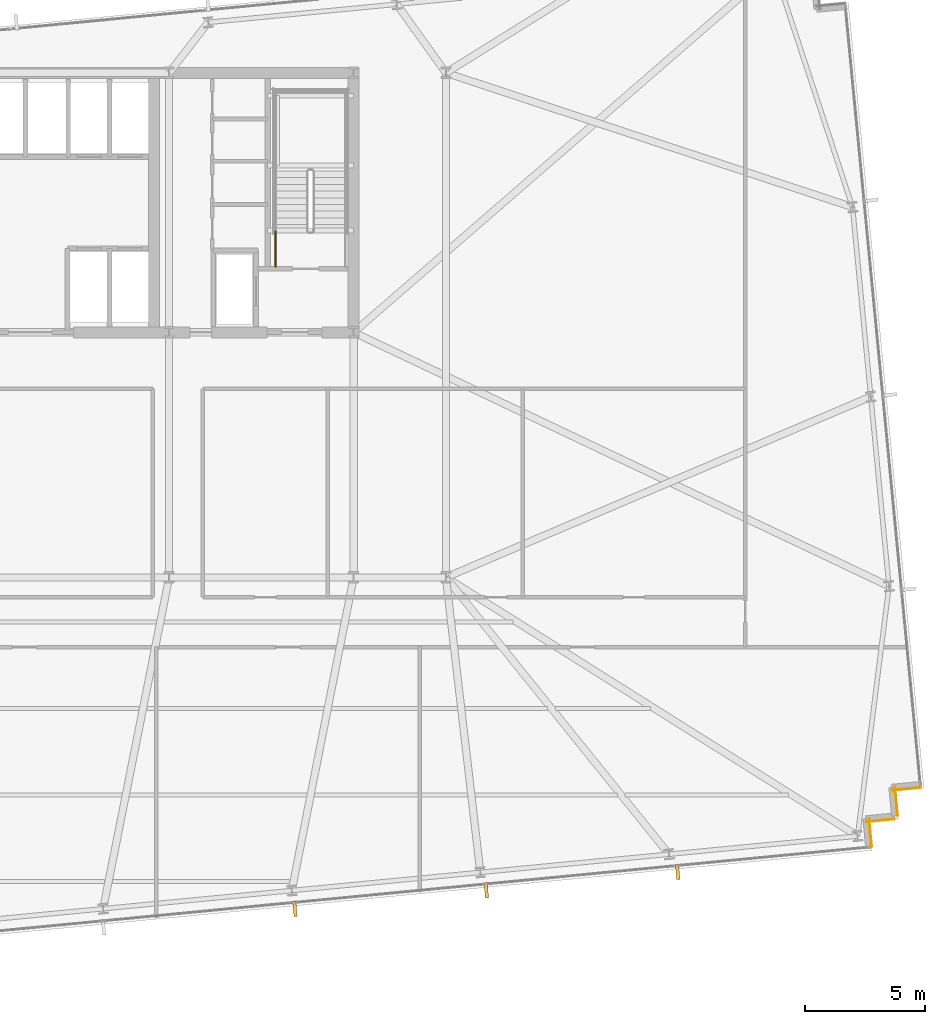
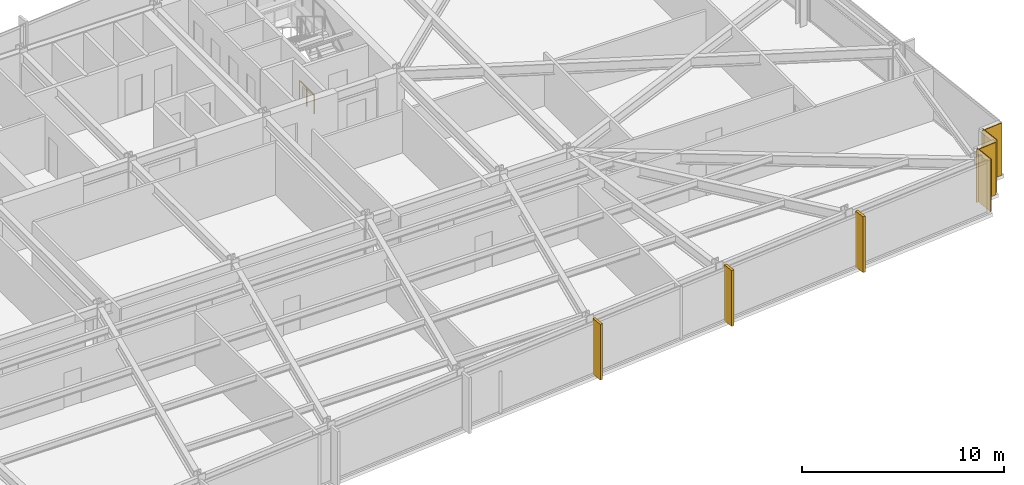
# One storey, part 29 of 32: 4 coverings, 3 shading devices, 1 railing.
"""IFC4 building model written with IfcOpenShell, lengths in metres."""

from ifc_helpers import new_model, si_unit, direction, frame, frame_2d, origin, origin_2d, place, context, subcontext, project, spatial, rectangle, circle, extrude, material, layer, layer_set, type_object, element, save


model = new_model("IFC4")

# Units and contexts
model_context = context("Model", 3, precision=1e-05, world=origin(), true_north=direction((0.0, 1.0)))
body_context = subcontext(model_context, "Body", "Model", "MODEL_VIEW")
ifc_project = project(units=[si_unit("LENGTHUNIT", "METRE"), si_unit("AREAUNIT", "SQUARE_METRE"), si_unit("VOLUMEUNIT", "CUBIC_METRE"), si_unit("PLANEANGLEUNIT", "RADIAN"), si_unit("MASSUNIT", "GRAM", prefix="KILO")], contexts=[model_context])

# Site, building, storey
site_placement = place(None, origin())
site = spatial("IfcSite", under=ifc_project, at=site_placement, CompositionType="ELEMENT")
building_placement = place(site_placement, origin())
building = spatial("IfcBuilding", under=site, at=building_placement, Name="Yelkora Congress Tower", CompositionType="ELEMENT")
storey_placement = place(building_placement, frame((0.0, 0.0, 103.300048828125)))
storey = spatial("IfcBuildingStorey", under=building, at=storey_placement, Name="L27", CompositionType="ELEMENT", Elevation=103.300048828125)

# Coverings
ifc_material_1 = material(Name="Anatolian bush-hammered limestone", Category="masonry")
ifc_layer_1 = layer(ifc_material_1, 0.0400390625)
ifc_layer_set_1 = layer_set([ifc_layer_1], Name="Anatolian bush-hammered limestone")
covering_type = type_object("IfcCoveringType", Name="COV-CLAD-SPANDREL-40", PredefinedType="CLADDING", material=ifc_layer_set_1)
for number, where, z_axis, x_axis, name in (
    (1, (77.360595703125, 16.451416015625, 0.0), (0.0, 0.0, 1.0), (-0.995377661201, -0.096038073607, 0.0), "L27 Anatolian Limestone Cladding EW-L27-SR16"),
    (2, (76.28759765625, 16.483642578125, 0.0), (0.0, 0.0, 1.0), (0.095836473879, -0.995397091755, 0.0), "L27 Anatolian Limestone Cladding EW-L27-SR17"),
    (3, (76.28125, 15.141845703125, 0.0), (0.0, 0.0, 1.0), (-0.995397091755, -0.095836473879, 0.0), "L27 Anatolian Limestone Cladding EW-L27-SR18"),
):
    element("IfcCovering", number, at=place(storey_placement, frame(where, z_axis=z_axis, x_axis=x_axis)), inside=storey, type_object=covering_type, Name=name, PredefinedType="CLADDING", context=body_context, shape_type="SweptSolid", body=[
        extrude(rectangle(XDim=1.199951171875, YDim=0.0400390625, at=frame_2d((0.60009765625, 0.0))), origin(), (0.0, 0.0, 1.0), 3.179931640625),
    ])
covering_placement = place(storey_placement, frame((75.208251953125, 15.17431640625, 0.0), z_axis=(0.0, 0.0, 1.0), x_axis=(0.095817067274, -0.995398960025, 0.0)))
element("IfcCovering", 4, at=covering_placement, inside=storey, type_object=covering_type, Name="L27 Anatolian Limestone Cladding EW-L27-SR19", PredefinedType="CLADDING", context=body_context, shape_type="SweptSolid", body=[
    extrude(rectangle(XDim=1.2001953125, YDim=0.0400390625, at=frame_2d((0.60009765625, 0.0))), origin(), (0.0, 0.0, 1.0), 3.179931640625),
])

# Railing
ifc_material_2 = material(Name="Painted galvanised steel stair well guard with vertical infill", Category="steel")
ifc_layer_2 = layer(ifc_material_2, 0.06005859375)
ifc_layer_set_2 = layer_set([ifc_layer_2], Name="Painted galvanised steel stair well guard with vertical infill")
railing_type = type_object("IfcRailingType", Name="RAIL-STAIR-GUARD-1120", PredefinedType="GUARDRAIL", material=ifc_layer_set_2)
railing_placement = place(storey_placement, frame((50.510009765625, 38.1201171875, 0.0)))
element("IfcRailing", 5, at=railing_placement, inside=storey, type_object=railing_type, Name="ST-02 L27 Stair Well Guardrail 9", PredefinedType="GUARDRAIL", context=body_context, shape_type="SweptSolid", body=[
    extrude(circle(Radius=0.02392578125, at=origin_2d()), frame((0.0, 0.0, 1.09619140625), z_axis=(0.0, 1.0, 0.0), x_axis=(-1.0, 0.0, 0.0)), (0.0, 0.0, 1.0), 1.47998046875),
    extrude(circle(Radius=0.02099609375, at=origin_2d()), origin(), (0.0, 0.0, 1.0), 1.072021484375),
    extrude(circle(Radius=0.02099609375, at=origin_2d()), frame((0.0, 0.739990234375, 0.0)), (0.0, 0.0, 1.0), 1.072021484375),
    extrude(circle(Radius=0.02099609375, at=origin_2d()), frame((0.0, 1.47998046875, 0.0)), (0.0, 0.0, 1.0), 1.072021484375),
])

# Shading devices
ifc_material_3 = material(Name="Champagne anodised aluminium", Category="aluminium")
ifc_layer_3 = layer(ifc_material_3, 3.39990234375)
ifc_layer_set_3 = layer_set([ifc_layer_3], Name="Champagne anodised aluminium")
shading_device_type = type_object("IfcShadingDeviceType", Name="SHD-FIN-ALU-640", PredefinedType="USERDEFINED", material=ifc_layer_set_3)
for number, where, z_axis, x_axis, name in (
    (6, (67.247802734375, 12.94091796875, -0.030029296875), (0.0, 0.0, 1.0), (-0.995396198367, -0.09584575252, 0.0), "L27 Vertical Anodised Solar Fin 20-1"),
    (7, (59.28173828125, 12.173828125, -0.030029296875), (0.0, 0.0, 1.0), (-0.995396198367, -0.09584575252, 0.0), "L27 Vertical Anodised Solar Fin 20-2"),
    (8, (51.315673828125, 11.40673828125, -0.030029296875), (0.0, 0.0, 1.0), (-0.995396198367, -0.09584575252, 0.0), "L27 Vertical Anodised Solar Fin 20-3"),
):
    element("IfcShadingDevice", number, at=place(storey_placement, frame(where, z_axis=z_axis, x_axis=x_axis)), inside=storey, type_object=shading_device_type, Name=name, ObjectType="FIN", PredefinedType="USERDEFINED", context=body_context, shape_type="SweptSolid", body=[
        extrude(rectangle(XDim=0.139892578125, YDim=0.639892578125, at=origin_2d()), origin(), (0.0, 0.0, 1.0), 3.3798828125),
    ])

save(model, "model.ifc")
